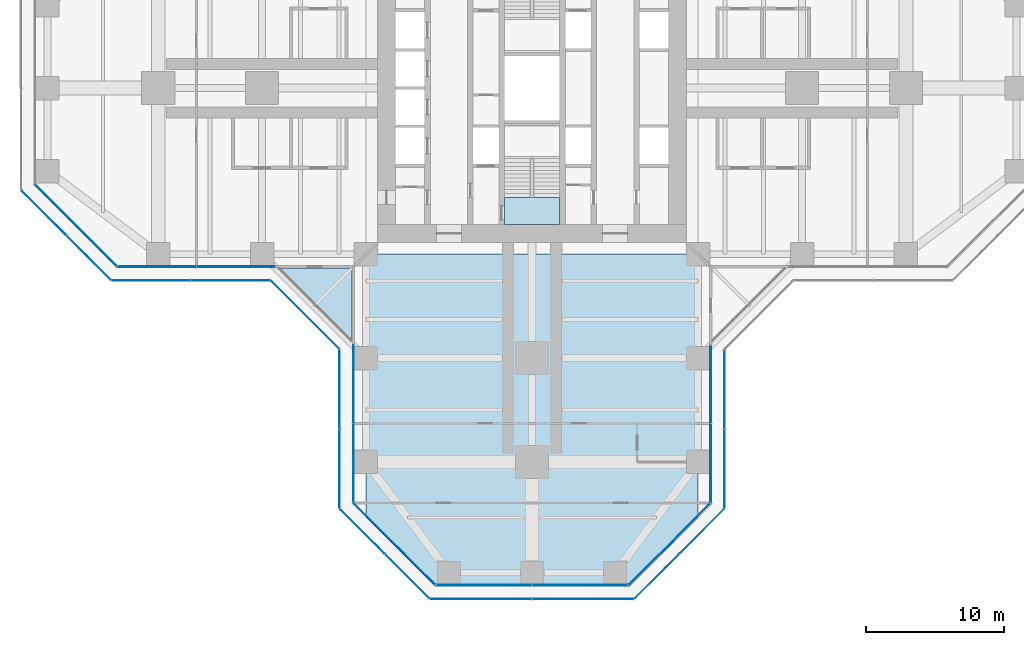
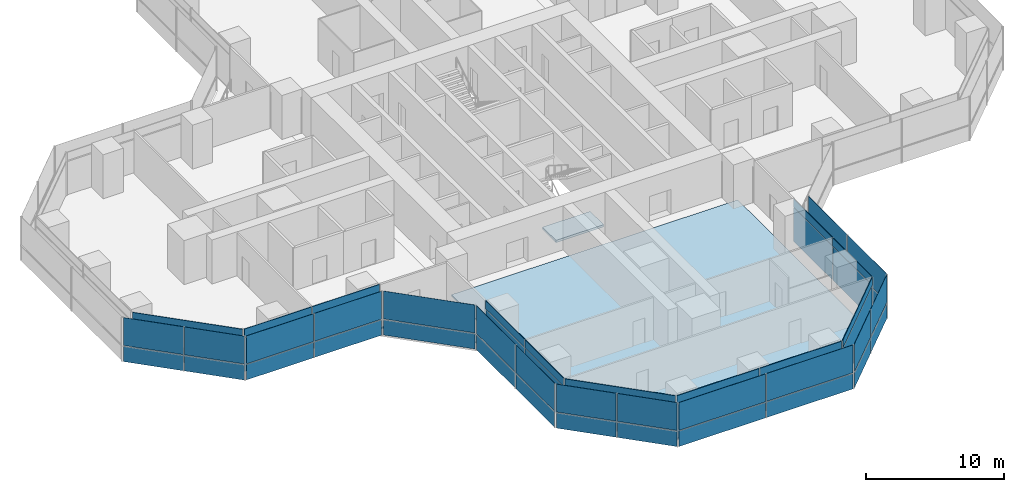
# One storey, part 14 of 22: 52 plates, 3 slabs, 16 elements without a shape of their own.
"""IFC4 building model written with IfcOpenShell, lengths in metres."""

from ifc_helpers import new_model, si_unit, direction, frame, origin, origin_2d, place, context, subcontext, project, spatial, polyline, rectangle, outline, extrude, material, layer, layer_set, type_object, element, aggregate, save


model = new_model("IFC4")

# Units and contexts
model_context = context("Model", 3, precision=1e-05, world=origin(), true_north=direction((0.0, 1.0)))
body_context = subcontext(model_context, "Body", "Model", "MODEL_VIEW")
ifc_project = project(units=[si_unit("LENGTHUNIT", "METRE"), si_unit("AREAUNIT", "SQUARE_METRE"), si_unit("VOLUMEUNIT", "CUBIC_METRE"), si_unit("PLANEANGLEUNIT", "RADIAN"), si_unit("MASSUNIT", "GRAM", prefix="KILO")], contexts=[model_context])

# Site, building, storey
site_placement = place(None, origin())
site = spatial("IfcSite", under=ifc_project, at=site_placement, CompositionType="ELEMENT")
building_placement = place(site_placement, origin())
building = spatial("IfcBuilding", under=site, at=building_placement, Name="Mizan Broadcast Tower", CompositionType="ELEMENT")
storey_placement = place(building_placement, frame((0.0, 0.0, 63.0)))
storey = spatial("IfcBuildingStorey", under=building, at=storey_placement, Name="L12", CompositionType="ELEMENT", Elevation=63.0)

# Slab
ifc_material_1 = material(Name="Concrete C32/40", Category="concrete")
ifc_layer_1 = layer(ifc_material_1, 0.1298828125)
ifc_layer_set_1 = layer_set([ifc_layer_1], Name="Concrete C32/40")
slab_type_1 = type_object("IfcSlabType", Name="COMPOSITE DECK SLAB 130", PredefinedType="FLOOR", material=ifc_layer_set_1)
slab_1_placement = place(storey_placement, frame((0.0, 0.0, -0.1298828125)))
element("IfcSlab", 1, at=slab_1_placement, inside=storey, type_object=slab_type_1, Name="Floor slab L12 south arm", PredefinedType="FLOOR", context=body_context, shape_type="SweptSolid", body=[
    extrude(outline(polyline([(7.0, -36.0), (12.0, -31.0), (12.0, -12.0), (-12.0, -12.0), (-12.0, -31.0), (-7.0, -36.0), (7.0, -36.0)])), origin(), (0.0, 0.0, 1.0), 0.1298828125),
])

# Curtain wall, plate
ifc_material_2 = material(Name="Aluminium framed glazing", Category="aluminium")
curtain_wall_type_1 = type_object("IfcCurtainWallType", Name="INNER SKIN LOW ZONE", PredefinedType="USERDEFINED", material=ifc_material_2)
curtain_wall_1_placement = place(storey_placement, origin())
curtain_wall_1 = element("IfcCurtainWall", 2, at=curtain_wall_1_placement, inside=storey, type_object=curtain_wall_type_1, Name="Inner skin low zone L12 W chamfer", ObjectType="INNER SKIN LOW ZONE", PredefinedType="USERDEFINED")
ifc_material_3 = material(Name="Double glazing, clear low-e", Category="glass")
ifc_layer_2 = layer(ifc_material_3, 0.028076171875)
ifc_layer_set_2 = layer_set([ifc_layer_2], Name="Double glazing, clear low-e")
plate_type_1 = type_object("IfcPlateType", Name="INNER SKIN GLAZING UNIT", PredefinedType="CURTAIN_PANEL", material=ifc_layer_set_2)
plate_1_placement = place(storey_placement, frame((-32.92919921875, -9.92919921875, 0.0), z_axis=(0.0, 0.0, 1.0), x_axis=(0.707106781187, -0.707106781187, 0.0)))
plate_1 = element("IfcPlate", 3, at=plate_1_placement, type_object=plate_type_1, Name="Inner skin low zone L12 W chamfer panel 1.1", PredefinedType="CURTAIN_PANEL", context=body_context, shape_type="SweptSolid", body=[
    extrude(rectangle(XDim=8.282470703125, YDim=0.028076171875, at=origin_2d()), origin(), (0.0, 0.0, 1.0), 3.0),
])

# Curtain wall, plates
curtain_wall_2_placement = place(storey_placement, origin())
curtain_wall_2 = element("IfcCurtainWall", 4, at=curtain_wall_2_placement, inside=storey, type_object=curtain_wall_type_1, Name="Inner skin low zone L12 W side", ObjectType="INNER SKIN LOW ZONE", PredefinedType="USERDEFINED")
plate_2_placement = place(storey_placement, frame((-27.078857421875, -12.89990234375, 0.0), z_axis=(0.0, 0.0, 1.0), x_axis=(1.0, 0.0, 0.0)))
plate_2 = element("IfcPlate", 5, at=plate_2_placement, type_object=plate_type_1, Name="Inner skin low zone L12 W side panel 1.1", PredefinedType="CURTAIN_PANEL", context=body_context, shape_type="SweptSolid", body=[
    extrude(rectangle(XDim=5.639404296875, YDim=0.028076171875, at=origin_2d()), origin(), (0.0, 0.0, 1.0), 3.0),
])
plate_3_placement = place(storey_placement, frame((-21.379638671875, -12.89990234375, 0.0), z_axis=(0.0, 0.0, 1.0), x_axis=(1.0, 0.0, 0.0)))
plate_3 = element("IfcPlate", 6, at=plate_3_placement, type_object=plate_type_1, Name="Inner skin low zone L12 W side panel 2.1", PredefinedType="CURTAIN_PANEL", context=body_context, shape_type="SweptSolid", body=[
    extrude(rectangle(XDim=5.639404296875, YDim=0.028076171875, at=origin_2d()), origin(), (0.0, 0.0, 1.0), 3.0),
])

curtain_wall_3_placement = place(storey_placement, origin())
curtain_wall_3 = element("IfcCurtainWall", 7, at=curtain_wall_3_placement, inside=storey, type_object=curtain_wall_type_1, Name="Inner skin low zone L12 S side", ObjectType="INNER SKIN LOW ZONE", PredefinedType="USERDEFINED")
plate_4_placement = place(storey_placement, frame((-12.89990234375, -21.379638671875, 0.0), z_axis=(0.0, 0.0, 1.0), x_axis=(0.0, -1.0, 0.0)))
plate_4 = element("IfcPlate", 8, at=plate_4_placement, type_object=plate_type_1, Name="Inner skin low zone L12 S side panel 1.1", PredefinedType="CURTAIN_PANEL", context=body_context, shape_type="SweptSolid", body=[
    extrude(rectangle(XDim=5.639404296875, YDim=0.028076171875, at=origin_2d()), origin(), (0.0, 0.0, 1.0), 3.0),
])
plate_5_placement = place(storey_placement, frame((-12.89990234375, -27.078857421875, 0.0), z_axis=(0.0, 0.0, 1.0), x_axis=(0.0, -1.0, 0.0)))
plate_5 = element("IfcPlate", 9, at=plate_5_placement, type_object=plate_type_1, Name="Inner skin low zone L12 S side panel 2.1", PredefinedType="CURTAIN_PANEL", context=body_context, shape_type="SweptSolid", body=[
    extrude(rectangle(XDim=5.639404296875, YDim=0.028076171875, at=origin_2d()), origin(), (0.0, 0.0, 1.0), 3.0),
])

# Curtain wall, plate
curtain_wall_4_placement = place(storey_placement, origin())
curtain_wall_4 = element("IfcCurtainWall", 10, at=curtain_wall_4_placement, inside=storey, type_object=curtain_wall_type_1, Name="Inner skin low zone L12 S chamfer", ObjectType="INNER SKIN LOW ZONE", PredefinedType="USERDEFINED")
plate_6_placement = place(storey_placement, frame((-9.92919921875, -32.92919921875, 0.0), z_axis=(0.0, 0.0, 1.0), x_axis=(0.707106781187, -0.707106781187, 0.0)))
plate_6 = element("IfcPlate", 11, at=plate_6_placement, type_object=plate_type_1, Name="Inner skin low zone L12 S chamfer panel 1.1", PredefinedType="CURTAIN_PANEL", context=body_context, shape_type="SweptSolid", body=[
    extrude(rectangle(XDim=8.282470703125, YDim=0.028076171875, at=origin_2d()), origin(), (0.0, 0.0, 1.0), 3.0),
])

# Curtain wall, plates
curtain_wall_5_placement = place(storey_placement, origin())
curtain_wall_5 = element("IfcCurtainWall", 12, at=curtain_wall_5_placement, inside=storey, type_object=curtain_wall_type_1, Name="Inner skin low zone L12 S end", ObjectType="INNER SKIN LOW ZONE", PredefinedType="USERDEFINED")
plate_7_placement = place(storey_placement, frame((-3.46435546875, -35.89990234375, 0.0), z_axis=(0.0, 0.0, 1.0), x_axis=(1.0, 0.0, 0.0)))
plate_7 = element("IfcPlate", 13, at=plate_7_placement, type_object=plate_type_1, Name="Inner skin low zone L12 S end panel 1.1", PredefinedType="CURTAIN_PANEL", context=body_context, shape_type="SweptSolid", body=[
    extrude(rectangle(XDim=6.86865234375, YDim=0.028076171875, at=origin_2d()), origin(), (0.0, 0.0, 1.0), 3.0),
])
plate_8_placement = place(storey_placement, frame((3.46435546875, -35.89990234375, 0.0), z_axis=(0.0, 0.0, 1.0), x_axis=(1.0, 0.0, 0.0)))
plate_8 = element("IfcPlate", 14, at=plate_8_placement, type_object=plate_type_1, Name="Inner skin low zone L12 S end panel 2.1", PredefinedType="CURTAIN_PANEL", context=body_context, shape_type="SweptSolid", body=[
    extrude(rectangle(XDim=6.86865234375, YDim=0.028076171875, at=origin_2d()), origin(), (0.0, 0.0, 1.0), 3.0),
])

# Curtain wall, plate
curtain_wall_6_placement = place(storey_placement, origin())
curtain_wall_6 = element("IfcCurtainWall", 15, at=curtain_wall_6_placement, inside=storey, type_object=curtain_wall_type_1, Name="Inner skin low zone L12 S chamfer", ObjectType="INNER SKIN LOW ZONE", PredefinedType="USERDEFINED")
plate_9_placement = place(storey_placement, frame((9.92919921875, -32.92919921875, 0.0), z_axis=(0.0, 0.0, 1.0), x_axis=(0.707106781187, 0.707106781187, 0.0)))
plate_9 = element("IfcPlate", 16, at=plate_9_placement, type_object=plate_type_1, Name="Inner skin low zone L12 S chamfer panel 1.1", PredefinedType="CURTAIN_PANEL", context=body_context, shape_type="SweptSolid", body=[
    extrude(rectangle(XDim=8.282470703125, YDim=0.028076171875, at=origin_2d()), origin(), (0.0, 0.0, 1.0), 3.0),
])

# Curtain wall, plates
curtain_wall_7_placement = place(storey_placement, origin())
curtain_wall_7 = element("IfcCurtainWall", 17, at=curtain_wall_7_placement, inside=storey, type_object=curtain_wall_type_1, Name="Inner skin low zone L12 S side", ObjectType="INNER SKIN LOW ZONE", PredefinedType="USERDEFINED")
plate_10_placement = place(storey_placement, frame((12.89990234375, -27.078857421875, 0.0), z_axis=(0.0, 0.0, 1.0), x_axis=(0.0, 1.0, 0.0)))
plate_10 = element("IfcPlate", 18, at=plate_10_placement, type_object=plate_type_1, Name="Inner skin low zone L12 S side panel 1.1", PredefinedType="CURTAIN_PANEL", context=body_context, shape_type="SweptSolid", body=[
    extrude(rectangle(XDim=5.639404296875, YDim=0.028076171875, at=origin_2d()), origin(), (0.0, 0.0, 1.0), 3.0),
])
plate_11_placement = place(storey_placement, frame((12.89990234375, -21.379638671875, 0.0), z_axis=(0.0, 0.0, 1.0), x_axis=(0.0, 1.0, 0.0)))
plate_11 = element("IfcPlate", 19, at=plate_11_placement, type_object=plate_type_1, Name="Inner skin low zone L12 S side panel 2.1", PredefinedType="CURTAIN_PANEL", context=body_context, shape_type="SweptSolid", body=[
    extrude(rectangle(XDim=5.639404296875, YDim=0.028076171875, at=origin_2d()), origin(), (0.0, 0.0, 1.0), 3.0),
])

# Plate
ifc_material_4 = material(Name="Insulated aluminium spandrel panel, pale anodised", Category="aluminium")
ifc_layer_3 = layer(ifc_material_4, 0.050048828125)
ifc_layer_set_3 = layer_set([ifc_layer_3], Name="Insulated aluminium spandrel panel, pale anodised")
plate_type_2 = type_object("IfcPlateType", Name="INNER SKIN SPANDREL PANEL", PredefinedType="CURTAIN_PANEL", material=ifc_layer_set_3)
plate_12_placement = place(storey_placement, frame((-32.92919921875, -9.92919921875, 3.06005859375), z_axis=(0.0, 0.0, 1.0), x_axis=(0.707106781187, -0.707106781187, 0.0)))
plate_12 = element("IfcPlate", 20, at=plate_12_placement, type_object=plate_type_2, Name="Inner skin low zone L12 W chamfer panel 1.2", PredefinedType="CURTAIN_PANEL", context=body_context, shape_type="SweptSolid", body=[
    extrude(rectangle(XDim=8.282470703125, YDim=0.050048828125, at=origin_2d()), origin(), (0.0, 0.0, 1.0), 0.7099609375),
])

aggregate(curtain_wall_1, [plate_1, plate_12])

plate_13_placement = place(storey_placement, frame((-27.078857421875, -12.89990234375, 3.06005859375), z_axis=(0.0, 0.0, 1.0), x_axis=(1.0, 0.0, 0.0)))
plate_13 = element("IfcPlate", 21, at=plate_13_placement, type_object=plate_type_2, Name="Inner skin low zone L12 W side panel 1.2", PredefinedType="CURTAIN_PANEL", context=body_context, shape_type="SweptSolid", body=[
    extrude(rectangle(XDim=5.639404296875, YDim=0.050048828125, at=origin_2d()), origin(), (0.0, 0.0, 1.0), 0.7099609375),
])

plate_14_placement = place(storey_placement, frame((-21.379638671875, -12.89990234375, 3.06005859375), z_axis=(0.0, 0.0, 1.0), x_axis=(1.0, 0.0, 0.0)))
plate_14 = element("IfcPlate", 22, at=plate_14_placement, type_object=plate_type_2, Name="Inner skin low zone L12 W side panel 2.2", PredefinedType="CURTAIN_PANEL", context=body_context, shape_type="SweptSolid", body=[
    extrude(rectangle(XDim=5.639404296875, YDim=0.050048828125, at=origin_2d()), origin(), (0.0, 0.0, 1.0), 0.7099609375),
])

aggregate(curtain_wall_2, [plate_2, plate_13, plate_3, plate_14])

plate_15_placement = place(storey_placement, frame((-12.89990234375, -21.379638671875, 3.06005859375), z_axis=(0.0, 0.0, 1.0), x_axis=(0.0, -1.0, 0.0)))
plate_15 = element("IfcPlate", 23, at=plate_15_placement, type_object=plate_type_2, Name="Inner skin low zone L12 S side panel 1.2", PredefinedType="CURTAIN_PANEL", context=body_context, shape_type="SweptSolid", body=[
    extrude(rectangle(XDim=5.639404296875, YDim=0.050048828125, at=origin_2d()), origin(), (0.0, 0.0, 1.0), 0.7099609375),
])

plate_16_placement = place(storey_placement, frame((-12.89990234375, -27.078857421875, 3.06005859375), z_axis=(0.0, 0.0, 1.0), x_axis=(0.0, -1.0, 0.0)))
plate_16 = element("IfcPlate", 24, at=plate_16_placement, type_object=plate_type_2, Name="Inner skin low zone L12 S side panel 2.2", PredefinedType="CURTAIN_PANEL", context=body_context, shape_type="SweptSolid", body=[
    extrude(rectangle(XDim=5.639404296875, YDim=0.050048828125, at=origin_2d()), origin(), (0.0, 0.0, 1.0), 0.7099609375),
])

aggregate(curtain_wall_3, [plate_4, plate_15, plate_5, plate_16])

plate_17_placement = place(storey_placement, frame((-9.92919921875, -32.92919921875, 3.06005859375), z_axis=(0.0, 0.0, 1.0), x_axis=(0.707106781187, -0.707106781187, 0.0)))
plate_17 = element("IfcPlate", 25, at=plate_17_placement, type_object=plate_type_2, Name="Inner skin low zone L12 S chamfer panel 1.2", PredefinedType="CURTAIN_PANEL", context=body_context, shape_type="SweptSolid", body=[
    extrude(rectangle(XDim=8.282470703125, YDim=0.050048828125, at=origin_2d()), origin(), (0.0, 0.0, 1.0), 0.7099609375),
])

aggregate(curtain_wall_4, [plate_6, plate_17])

plate_18_placement = place(storey_placement, frame((-3.46435546875, -35.89990234375, 3.06005859375), z_axis=(0.0, 0.0, 1.0), x_axis=(1.0, 0.0, 0.0)))
plate_18 = element("IfcPlate", 26, at=plate_18_placement, type_object=plate_type_2, Name="Inner skin low zone L12 S end panel 1.2", PredefinedType="CURTAIN_PANEL", context=body_context, shape_type="SweptSolid", body=[
    extrude(rectangle(XDim=6.86865234375, YDim=0.050048828125, at=origin_2d()), origin(), (0.0, 0.0, 1.0), 0.7099609375),
])

plate_19_placement = place(storey_placement, frame((3.46435546875, -35.89990234375, 3.06005859375), z_axis=(0.0, 0.0, 1.0), x_axis=(1.0, 0.0, 0.0)))
plate_19 = element("IfcPlate", 27, at=plate_19_placement, type_object=plate_type_2, Name="Inner skin low zone L12 S end panel 2.2", PredefinedType="CURTAIN_PANEL", context=body_context, shape_type="SweptSolid", body=[
    extrude(rectangle(XDim=6.86865234375, YDim=0.050048828125, at=origin_2d()), origin(), (0.0, 0.0, 1.0), 0.7099609375),
])

aggregate(curtain_wall_5, [plate_7, plate_18, plate_8, plate_19])

plate_20_placement = place(storey_placement, frame((9.92919921875, -32.92919921875, 3.06005859375), z_axis=(0.0, 0.0, 1.0), x_axis=(0.707106781187, 0.707106781187, 0.0)))
plate_20 = element("IfcPlate", 28, at=plate_20_placement, type_object=plate_type_2, Name="Inner skin low zone L12 S chamfer panel 1.2", PredefinedType="CURTAIN_PANEL", context=body_context, shape_type="SweptSolid", body=[
    extrude(rectangle(XDim=8.282470703125, YDim=0.050048828125, at=origin_2d()), origin(), (0.0, 0.0, 1.0), 0.7099609375),
])

aggregate(curtain_wall_6, [plate_9, plate_20])

plate_21_placement = place(storey_placement, frame((12.89990234375, -27.078857421875, 3.06005859375), z_axis=(0.0, 0.0, 1.0), x_axis=(0.0, 1.0, 0.0)))
plate_21 = element("IfcPlate", 29, at=plate_21_placement, type_object=plate_type_2, Name="Inner skin low zone L12 S side panel 1.2", PredefinedType="CURTAIN_PANEL", context=body_context, shape_type="SweptSolid", body=[
    extrude(rectangle(XDim=5.639404296875, YDim=0.050048828125, at=origin_2d()), origin(), (0.0, 0.0, 1.0), 0.7099609375),
])

plate_22_placement = place(storey_placement, frame((12.89990234375, -21.379638671875, 3.06005859375), z_axis=(0.0, 0.0, 1.0), x_axis=(0.0, 1.0, 0.0)))
plate_22 = element("IfcPlate", 30, at=plate_22_placement, type_object=plate_type_2, Name="Inner skin low zone L12 S side panel 2.2", PredefinedType="CURTAIN_PANEL", context=body_context, shape_type="SweptSolid", body=[
    extrude(rectangle(XDim=5.639404296875, YDim=0.050048828125, at=origin_2d()), origin(), (0.0, 0.0, 1.0), 0.7099609375),
])

aggregate(curtain_wall_7, [plate_10, plate_21, plate_11, plate_22])

# Curtain wall, plates
ifc_material_5 = material(Name="Aluminium framed glazing", Category="aluminium")
curtain_wall_type_2 = type_object("IfcCurtainWallType", Name="OUTER SKIN", PredefinedType="USERDEFINED", material=ifc_material_5)
curtain_wall_8_placement = place(storey_placement, origin())
curtain_wall_8 = element("IfcCurtainWall", 31, at=curtain_wall_8_placement, inside=storey, type_object=curtain_wall_type_2, Name="Outer skin L12 W chamfer", ObjectType="OUTER SKIN", PredefinedType="USERDEFINED")
ifc_material_6 = material(Name="Laminated clear glass", Category="glass")
ifc_layer_4 = layer(ifc_material_6, 0.02001953125)
ifc_layer_set_4 = layer_set([ifc_layer_4], Name="Laminated clear glass")
plate_type_3 = type_object("IfcPlateType", Name="OUTER SKIN CLEAR GLASS", PredefinedType="CURTAIN_PANEL", material=ifc_layer_set_4)
plate_23_placement = place(storey_placement, frame((-35.254150390625, -9.018798828125, 0.0), z_axis=(0.0, 0.0, 1.0), x_axis=(0.707106781187, -0.707106781187, 0.0)))
plate_23 = element("IfcPlate", 32, at=plate_23_placement, type_object=plate_type_3, Name="Outer skin L12 W chamfer panel 1.1", PredefinedType="CURTAIN_PANEL", context=body_context, shape_type="SweptSolid", body=[
    extrude(rectangle(XDim=4.495361328125, YDim=0.02001953125, at=origin_2d()), origin(), (0.0, 0.0, 1.0), 1.3701171875),
])
plate_24_placement = place(storey_placement, frame((-35.254150390625, -9.018798828125, 1.43017578125), z_axis=(0.0, 0.0, 1.0), x_axis=(0.707106781187, -0.707106781187, 0.0)))
plate_24 = element("IfcPlate", 33, at=plate_24_placement, type_object=plate_type_3, Name="Outer skin L12 W chamfer panel 1.2", PredefinedType="CURTAIN_PANEL", context=body_context, shape_type="SweptSolid", body=[
    extrude(rectangle(XDim=4.495361328125, YDim=0.02001953125, at=origin_2d()), origin(), (0.0, 0.0, 1.0), 2.469970703125),
])

curtain_wall_9_placement = place(storey_placement, origin())
curtain_wall_9 = element("IfcCurtainWall", 34, at=curtain_wall_9_placement, inside=storey, type_object=curtain_wall_type_2, Name="Outer skin L12 W side", ObjectType="OUTER SKIN", PredefinedType="USERDEFINED")
plate_25_placement = place(storey_placement, frame((-27.477783203125, -13.89990234375, 0.0), z_axis=(0.0, 0.0, 1.0), x_axis=(1.0, 0.0, 0.0)))
plate_25 = element("IfcPlate", 35, at=plate_25_placement, type_object=plate_type_3, Name="Outer skin L12 W side panel 1.1", PredefinedType="CURTAIN_PANEL", context=body_context, shape_type="SweptSolid", body=[
    extrude(rectangle(XDim=5.6298828125, YDim=0.02001953125, at=origin_2d()), origin(), (0.0, 0.0, 1.0), 1.3701171875),
])
plate_26_placement = place(storey_placement, frame((-27.477783203125, -13.89990234375, 1.43017578125), z_axis=(0.0, 0.0, 1.0), x_axis=(1.0, 0.0, 0.0)))
plate_26 = element("IfcPlate", 36, at=plate_26_placement, type_object=plate_type_3, Name="Outer skin L12 W side panel 1.2", PredefinedType="CURTAIN_PANEL", context=body_context, shape_type="SweptSolid", body=[
    extrude(rectangle(XDim=5.6298828125, YDim=0.02001953125, at=origin_2d()), origin(), (0.0, 0.0, 1.0), 2.469970703125),
])

curtain_wall_10_placement = place(storey_placement, origin())
curtain_wall_10 = element("IfcCurtainWall", 37, at=curtain_wall_10_placement, inside=storey, type_object=curtain_wall_type_2, Name="Outer skin L12 W chamfer", ObjectType="OUTER SKIN", PredefinedType="USERDEFINED")
plate_27_placement = place(storey_placement, frame((-16.386474609375, -16.386474609375, 0.0), z_axis=(0.0, 0.0, 1.0), x_axis=(0.707106781187, -0.707106781187, 0.0)))
plate_27 = element("IfcPlate", 38, at=plate_27_placement, type_object=plate_type_3, Name="Outer skin L12 W chamfer panel 1.1", PredefinedType="CURTAIN_PANEL", context=body_context, shape_type="SweptSolid", body=[
    extrude(rectangle(XDim=6.87255859375, YDim=0.02001953125, at=origin_2d()), origin(), (0.0, 0.0, 1.0), 1.3701171875),
])
plate_28_placement = place(storey_placement, frame((-16.386474609375, -16.386474609375, 1.43017578125), z_axis=(0.0, 0.0, 1.0), x_axis=(0.707106781187, -0.707106781187, 0.0)))
plate_28 = element("IfcPlate", 39, at=plate_28_placement, type_object=plate_type_3, Name="Outer skin L12 W chamfer panel 1.2", PredefinedType="CURTAIN_PANEL", context=body_context, shape_type="SweptSolid", body=[
    extrude(rectangle(XDim=6.87255859375, YDim=0.02001953125, at=origin_2d()), origin(), (0.0, 0.0, 1.0), 2.469970703125),
])
aggregate(curtain_wall_10, [plate_27, plate_28])

curtain_wall_11_placement = place(storey_placement, origin())
curtain_wall_11 = element("IfcCurtainWall", 40, at=curtain_wall_11_placement, inside=storey, type_object=curtain_wall_type_2, Name="Outer skin L12 S side", ObjectType="OUTER SKIN", PredefinedType="USERDEFINED")
plate_29_placement = place(storey_placement, frame((-13.89990234375, -21.767822265625, 0.0), z_axis=(0.0, 0.0, 1.0), x_axis=(0.0, -1.0, 0.0)))
plate_29 = element("IfcPlate", 41, at=plate_29_placement, type_object=plate_type_3, Name="Outer skin L12 S side panel 1.1", PredefinedType="CURTAIN_PANEL", context=body_context, shape_type="SweptSolid", body=[
    extrude(rectangle(XDim=5.6298828125, YDim=0.02001953125, at=origin_2d()), origin(), (0.0, 0.0, 1.0), 1.3701171875),
])
plate_30_placement = place(storey_placement, frame((-13.89990234375, -21.767822265625, 1.43017578125), z_axis=(0.0, 0.0, 1.0), x_axis=(0.0, -1.0, 0.0)))
plate_30 = element("IfcPlate", 42, at=plate_30_placement, type_object=plate_type_3, Name="Outer skin L12 S side panel 1.2", PredefinedType="CURTAIN_PANEL", context=body_context, shape_type="SweptSolid", body=[
    extrude(rectangle(XDim=5.6298828125, YDim=0.02001953125, at=origin_2d()), origin(), (0.0, 0.0, 1.0), 2.469970703125),
])

curtain_wall_12_placement = place(storey_placement, origin())
curtain_wall_12 = element("IfcCurtainWall", 43, at=curtain_wall_12_placement, inside=storey, type_object=curtain_wall_type_2, Name="Outer skin L12 S chamfer", ObjectType="OUTER SKIN", PredefinedType="USERDEFINED")
plate_31_placement = place(storey_placement, frame((-12.254150390625, -32.018798828125, 0.0), z_axis=(0.0, 0.0, 1.0), x_axis=(0.707106781187, -0.707106781187, 0.0)))
plate_31 = element("IfcPlate", 44, at=plate_31_placement, type_object=plate_type_3, Name="Outer skin L12 S chamfer panel 1.1", PredefinedType="CURTAIN_PANEL", context=body_context, shape_type="SweptSolid", body=[
    extrude(rectangle(XDim=4.495361328125, YDim=0.02001953125, at=origin_2d()), origin(), (0.0, 0.0, 1.0), 1.3701171875),
])
plate_32_placement = place(storey_placement, frame((-12.254150390625, -32.018798828125, 1.43017578125), z_axis=(0.0, 0.0, 1.0), x_axis=(0.707106781187, -0.707106781187, 0.0)))
plate_32 = element("IfcPlate", 45, at=plate_32_placement, type_object=plate_type_3, Name="Outer skin L12 S chamfer panel 1.2", PredefinedType="CURTAIN_PANEL", context=body_context, shape_type="SweptSolid", body=[
    extrude(rectangle(XDim=4.495361328125, YDim=0.02001953125, at=origin_2d()), origin(), (0.0, 0.0, 1.0), 2.469970703125),
])

curtain_wall_13_placement = place(storey_placement, origin())
curtain_wall_13 = element("IfcCurtainWall", 46, at=curtain_wall_13_placement, inside=storey, type_object=curtain_wall_type_2, Name="Outer skin L12 S end", ObjectType="OUTER SKIN", PredefinedType="USERDEFINED")
plate_33_placement = place(storey_placement, frame((-3.66650390625, -36.89990234375, 0.0), z_axis=(0.0, 0.0, 1.0), x_axis=(1.0, 0.0, 0.0)))
plate_33 = element("IfcPlate", 47, at=plate_33_placement, type_object=plate_type_3, Name="Outer skin L12 S end panel 1.1", PredefinedType="CURTAIN_PANEL", context=body_context, shape_type="SweptSolid", body=[
    extrude(rectangle(XDim=7.252685546875, YDim=0.02001953125, at=origin_2d()), origin(), (0.0, 0.0, 1.0), 1.3701171875),
])
plate_34_placement = place(storey_placement, frame((-3.66650390625, -36.89990234375, 1.43017578125), z_axis=(0.0, 0.0, 1.0), x_axis=(1.0, 0.0, 0.0)))
plate_34 = element("IfcPlate", 48, at=plate_34_placement, type_object=plate_type_3, Name="Outer skin L12 S end panel 1.2", PredefinedType="CURTAIN_PANEL", context=body_context, shape_type="SweptSolid", body=[
    extrude(rectangle(XDim=7.252685546875, YDim=0.02001953125, at=origin_2d()), origin(), (0.0, 0.0, 1.0), 2.469970703125),
])

curtain_wall_14_placement = place(storey_placement, origin())
curtain_wall_14 = element("IfcCurtainWall", 49, at=curtain_wall_14_placement, inside=storey, type_object=curtain_wall_type_2, Name="Outer skin L12 S chamfer", ObjectType="OUTER SKIN", PredefinedType="USERDEFINED")
plate_35_placement = place(storey_placement, frame((9.018798828125, -35.254150390625, 0.0), z_axis=(0.0, 0.0, 1.0), x_axis=(0.707106781187, 0.707106781187, 0.0)))
plate_35 = element("IfcPlate", 50, at=plate_35_placement, type_object=plate_type_3, Name="Outer skin L12 S chamfer panel 1.1", PredefinedType="CURTAIN_PANEL", context=body_context, shape_type="SweptSolid", body=[
    extrude(rectangle(XDim=4.495361328125, YDim=0.02001953125, at=origin_2d()), origin(), (0.0, 0.0, 1.0), 1.3701171875),
])
plate_36_placement = place(storey_placement, frame((9.018798828125, -35.254150390625, 1.43017578125), z_axis=(0.0, 0.0, 1.0), x_axis=(0.707106781187, 0.707106781187, 0.0)))
plate_36 = element("IfcPlate", 51, at=plate_36_placement, type_object=plate_type_3, Name="Outer skin L12 S chamfer panel 1.2", PredefinedType="CURTAIN_PANEL", context=body_context, shape_type="SweptSolid", body=[
    extrude(rectangle(XDim=4.495361328125, YDim=0.02001953125, at=origin_2d()), origin(), (0.0, 0.0, 1.0), 2.469970703125),
])

curtain_wall_15_placement = place(storey_placement, origin())
curtain_wall_15 = element("IfcCurtainWall", 52, at=curtain_wall_15_placement, inside=storey, type_object=curtain_wall_type_2, Name="Outer skin L12 S side", ObjectType="OUTER SKIN", PredefinedType="USERDEFINED")
plate_37_placement = place(storey_placement, frame((13.89990234375, -27.477783203125, 0.0), z_axis=(0.0, 0.0, 1.0), x_axis=(0.0, 1.0, 0.0)))
plate_37 = element("IfcPlate", 53, at=plate_37_placement, type_object=plate_type_3, Name="Outer skin L12 S side panel 1.1", PredefinedType="CURTAIN_PANEL", context=body_context, shape_type="SweptSolid", body=[
    extrude(rectangle(XDim=5.6298828125, YDim=0.02001953125, at=origin_2d()), origin(), (0.0, 0.0, 1.0), 1.3701171875),
])
plate_38_placement = place(storey_placement, frame((13.89990234375, -27.477783203125, 1.43017578125), z_axis=(0.0, 0.0, 1.0), x_axis=(0.0, 1.0, 0.0)))
plate_38 = element("IfcPlate", 54, at=plate_38_placement, type_object=plate_type_3, Name="Outer skin L12 S side panel 1.2", PredefinedType="CURTAIN_PANEL", context=body_context, shape_type="SweptSolid", body=[
    extrude(rectangle(XDim=5.6298828125, YDim=0.02001953125, at=origin_2d()), origin(), (0.0, 0.0, 1.0), 2.469970703125),
])

# Plate
ifc_material_7 = material(Name="Perforated aluminium, pale anodised", Category="aluminium")
ifc_layer_5 = layer(ifc_material_7, 0.011962890625)
ifc_layer_set_5 = layer_set([ifc_layer_5], Name="Perforated aluminium, pale anodised")
plate_type_4 = type_object("IfcPlateType", Name="OUTER SKIN PERFORATED SCREEN", PredefinedType="USERDEFINED", material=ifc_layer_set_5)
plate_39_placement = place(storey_placement, frame((-32.018798828125, -12.254150390625, 0.0), z_axis=(0.0, 0.0, 1.0), x_axis=(0.707106781187, -0.707106781187, 0.0)))
plate_39 = element("IfcPlate", 55, at=plate_39_placement, type_object=plate_type_4, Name="Outer skin L12 W chamfer panel 2.1", ObjectType="SCREEN", PredefinedType="USERDEFINED", context=body_context, shape_type="SweptSolid", body=[
    extrude(rectangle(XDim=4.495361328125, YDim=0.011962890625, at=origin_2d()), origin(), (0.0, 0.0, 1.0), 1.3701171875),
])

plate_40_placement = place(storey_placement, frame((-32.018798828125, -12.254150390625, 1.43017578125), z_axis=(0.0, 0.0, 1.0), x_axis=(0.707106781187, -0.707106781187, 0.0)))
plate_40 = element("IfcPlate", 56, at=plate_40_placement, type_object=plate_type_4, Name="Outer skin L12 W chamfer panel 2.2", ObjectType="SCREEN", PredefinedType="USERDEFINED", context=body_context, shape_type="SweptSolid", body=[
    extrude(rectangle(XDim=4.495361328125, YDim=0.011962890625, at=origin_2d()), origin(), (0.0, 0.0, 1.0), 2.469970703125),
])

aggregate(curtain_wall_8, [plate_23, plate_24, plate_39, plate_40])

plate_41_placement = place(storey_placement, frame((-21.767822265625, -13.89990234375, 0.0), z_axis=(0.0, 0.0, 1.0), x_axis=(1.0, 0.0, 0.0)))
plate_41 = element("IfcPlate", 57, at=plate_41_placement, type_object=plate_type_4, Name="Outer skin L12 W side panel 2.1", ObjectType="SCREEN", PredefinedType="USERDEFINED", context=body_context, shape_type="SweptSolid", body=[
    extrude(rectangle(XDim=5.6298828125, YDim=0.011962890625, at=origin_2d()), origin(), (0.0, 0.0, 1.0), 1.3701171875),
])

plate_42_placement = place(storey_placement, frame((-21.767822265625, -13.89990234375, 1.43017578125), z_axis=(0.0, 0.0, 1.0), x_axis=(1.0, 0.0, 0.0)))
plate_42 = element("IfcPlate", 58, at=plate_42_placement, type_object=plate_type_4, Name="Outer skin L12 W side panel 2.2", ObjectType="SCREEN", PredefinedType="USERDEFINED", context=body_context, shape_type="SweptSolid", body=[
    extrude(rectangle(XDim=5.6298828125, YDim=0.011962890625, at=origin_2d()), origin(), (0.0, 0.0, 1.0), 2.469970703125),
])

aggregate(curtain_wall_9, [plate_25, plate_26, plate_41, plate_42])

plate_43_placement = place(storey_placement, frame((-13.89990234375, -27.477783203125, 0.0), z_axis=(0.0, 0.0, 1.0), x_axis=(0.0, -1.0, 0.0)))
plate_43 = element("IfcPlate", 59, at=plate_43_placement, type_object=plate_type_4, Name="Outer skin L12 S side panel 2.1", ObjectType="SCREEN", PredefinedType="USERDEFINED", context=body_context, shape_type="SweptSolid", body=[
    extrude(rectangle(XDim=5.6298828125, YDim=0.011962890625, at=origin_2d()), origin(), (0.0, 0.0, 1.0), 1.3701171875),
])

plate_44_placement = place(storey_placement, frame((-13.89990234375, -27.477783203125, 1.43017578125), z_axis=(0.0, 0.0, 1.0), x_axis=(0.0, -1.0, 0.0)))
plate_44 = element("IfcPlate", 60, at=plate_44_placement, type_object=plate_type_4, Name="Outer skin L12 S side panel 2.2", ObjectType="SCREEN", PredefinedType="USERDEFINED", context=body_context, shape_type="SweptSolid", body=[
    extrude(rectangle(XDim=5.6298828125, YDim=0.011962890625, at=origin_2d()), origin(), (0.0, 0.0, 1.0), 2.469970703125),
])

aggregate(curtain_wall_11, [plate_29, plate_30, plate_43, plate_44])

plate_45_placement = place(storey_placement, frame((-9.018798828125, -35.254150390625, 0.0), z_axis=(0.0, 0.0, 1.0), x_axis=(0.707106781187, -0.707106781187, 0.0)))
plate_45 = element("IfcPlate", 61, at=plate_45_placement, type_object=plate_type_4, Name="Outer skin L12 S chamfer panel 2.1", ObjectType="SCREEN", PredefinedType="USERDEFINED", context=body_context, shape_type="SweptSolid", body=[
    extrude(rectangle(XDim=4.495361328125, YDim=0.011962890625, at=origin_2d()), origin(), (0.0, 0.0, 1.0), 1.3701171875),
])

plate_46_placement = place(storey_placement, frame((-9.018798828125, -35.254150390625, 1.43017578125), z_axis=(0.0, 0.0, 1.0), x_axis=(0.707106781187, -0.707106781187, 0.0)))
plate_46 = element("IfcPlate", 62, at=plate_46_placement, type_object=plate_type_4, Name="Outer skin L12 S chamfer panel 2.2", ObjectType="SCREEN", PredefinedType="USERDEFINED", context=body_context, shape_type="SweptSolid", body=[
    extrude(rectangle(XDim=4.495361328125, YDim=0.011962890625, at=origin_2d()), origin(), (0.0, 0.0, 1.0), 2.469970703125),
])

aggregate(curtain_wall_12, [plate_31, plate_32, plate_45, plate_46])

plate_47_placement = place(storey_placement, frame((3.66650390625, -36.89990234375, 0.0), z_axis=(0.0, 0.0, 1.0), x_axis=(1.0, 0.0, 0.0)))
plate_47 = element("IfcPlate", 63, at=plate_47_placement, type_object=plate_type_4, Name="Outer skin L12 S end panel 2.1", ObjectType="SCREEN", PredefinedType="USERDEFINED", context=body_context, shape_type="SweptSolid", body=[
    extrude(rectangle(XDim=7.252685546875, YDim=0.011962890625, at=origin_2d()), origin(), (0.0, 0.0, 1.0), 1.3701171875),
])

plate_48_placement = place(storey_placement, frame((3.66650390625, -36.89990234375, 1.43017578125), z_axis=(0.0, 0.0, 1.0), x_axis=(1.0, 0.0, 0.0)))
plate_48 = element("IfcPlate", 64, at=plate_48_placement, type_object=plate_type_4, Name="Outer skin L12 S end panel 2.2", ObjectType="SCREEN", PredefinedType="USERDEFINED", context=body_context, shape_type="SweptSolid", body=[
    extrude(rectangle(XDim=7.252685546875, YDim=0.011962890625, at=origin_2d()), origin(), (0.0, 0.0, 1.0), 2.469970703125),
])

aggregate(curtain_wall_13, [plate_33, plate_34, plate_47, plate_48])

plate_49_placement = place(storey_placement, frame((12.254150390625, -32.018798828125, 0.0), z_axis=(0.0, 0.0, 1.0), x_axis=(0.707106781187, 0.707106781187, 0.0)))
plate_49 = element("IfcPlate", 65, at=plate_49_placement, type_object=plate_type_4, Name="Outer skin L12 S chamfer panel 2.1", ObjectType="SCREEN", PredefinedType="USERDEFINED", context=body_context, shape_type="SweptSolid", body=[
    extrude(rectangle(XDim=4.495361328125, YDim=0.011962890625, at=origin_2d()), origin(), (0.0, 0.0, 1.0), 1.3701171875),
])

plate_50_placement = place(storey_placement, frame((12.254150390625, -32.018798828125, 1.43017578125), z_axis=(0.0, 0.0, 1.0), x_axis=(0.707106781187, 0.707106781187, 0.0)))
plate_50 = element("IfcPlate", 66, at=plate_50_placement, type_object=plate_type_4, Name="Outer skin L12 S chamfer panel 2.2", ObjectType="SCREEN", PredefinedType="USERDEFINED", context=body_context, shape_type="SweptSolid", body=[
    extrude(rectangle(XDim=4.495361328125, YDim=0.011962890625, at=origin_2d()), origin(), (0.0, 0.0, 1.0), 2.469970703125),
])

aggregate(curtain_wall_14, [plate_35, plate_36, plate_49, plate_50])

plate_51_placement = place(storey_placement, frame((13.89990234375, -21.767822265625, 0.0), z_axis=(0.0, 0.0, 1.0), x_axis=(0.0, 1.0, 0.0)))
plate_51 = element("IfcPlate", 67, at=plate_51_placement, type_object=plate_type_4, Name="Outer skin L12 S side panel 2.1", ObjectType="SCREEN", PredefinedType="USERDEFINED", context=body_context, shape_type="SweptSolid", body=[
    extrude(rectangle(XDim=5.6298828125, YDim=0.011962890625, at=origin_2d()), origin(), (0.0, 0.0, 1.0), 1.3701171875),
])

plate_52_placement = place(storey_placement, frame((13.89990234375, -21.767822265625, 1.43017578125), z_axis=(0.0, 0.0, 1.0), x_axis=(0.0, 1.0, 0.0)))
plate_52 = element("IfcPlate", 68, at=plate_52_placement, type_object=plate_type_4, Name="Outer skin L12 S side panel 2.2", ObjectType="SCREEN", PredefinedType="USERDEFINED", context=body_context, shape_type="SweptSolid", body=[
    extrude(rectangle(XDim=5.6298828125, YDim=0.011962890625, at=origin_2d()), origin(), (0.0, 0.0, 1.0), 2.469970703125),
])

aggregate(curtain_wall_15, [plate_37, plate_38, plate_51, plate_52])

# Stair, slab
ifc_material_8 = material(Name="Concrete C40/50", Category="concrete")
stair_type = type_object("IfcStairType", Name="EXIT STAIR", PredefinedType="HALF_TURN_STAIR", material=ifc_material_8)
stair_placement = place(storey_placement, origin())
stair = element("IfcStair", 69, at=stair_placement, inside=storey, type_object=stair_type, Name="Stair A L12", PredefinedType="HALF_TURN_STAIR")
ifc_material_9 = material(Name="Concrete C40/50", Category="concrete")
ifc_layer_6 = layer(ifc_material_9, 0.199951171875)
ifc_layer_set_6 = layer_set([ifc_layer_6], Name="Concrete C40/50")
slab_type_2 = type_object("IfcSlabType", Name="STAIR LANDING 200", PredefinedType="LANDING", material=ifc_layer_set_6)
slab_2_placement = place(storey_placement, frame((0.0, 0.0, -0.199951171875)))
slab_2 = element("IfcSlab", 70, at=slab_2_placement, type_object=slab_type_2, Name="A landing 1", PredefinedType="LANDING", context=body_context, shape_type="SweptSolid", body=[
    extrude(outline(polyline([(-2.0, -9.85009765625), (-2.0, -7.89990234375), (2.0, -7.89990234375), (2.0, -9.85009765625), (-2.0, -9.85009765625)])), origin(), (0.0, 0.0, 1.0), 0.199951171875),
])
aggregate(stair, [slab_2])

# Slab
ifc_material_10 = material(Name="Concrete C32/40", Category="concrete")
ifc_layer_7 = layer(ifc_material_10, 0.1298828125)
ifc_layer_set_7 = layer_set([ifc_layer_7], Name="Concrete C32/40")
slab_type_3 = type_object("IfcSlabType", Name="WINTER GARDEN SLAB 130", PredefinedType="FLOOR", material=ifc_layer_set_7)
slab_3_placement = place(storey_placement, frame((0.0, 0.0, -0.1298828125)))
element("IfcSlab", 71, at=slab_3_placement, inside=storey, type_object=slab_type_3, Name="Winter garden slab L12 W", PredefinedType="FLOOR", context=body_context, shape_type="SweptSolid", body=[
    extrude(outline(polyline([(-13.0, -13.0), (-18.5, -13.0), (-13.0, -18.5), (-13.0, -13.0)])), origin(), (0.0, 0.0, 1.0), 0.1298828125),
])

save(model, "model.ifc")
